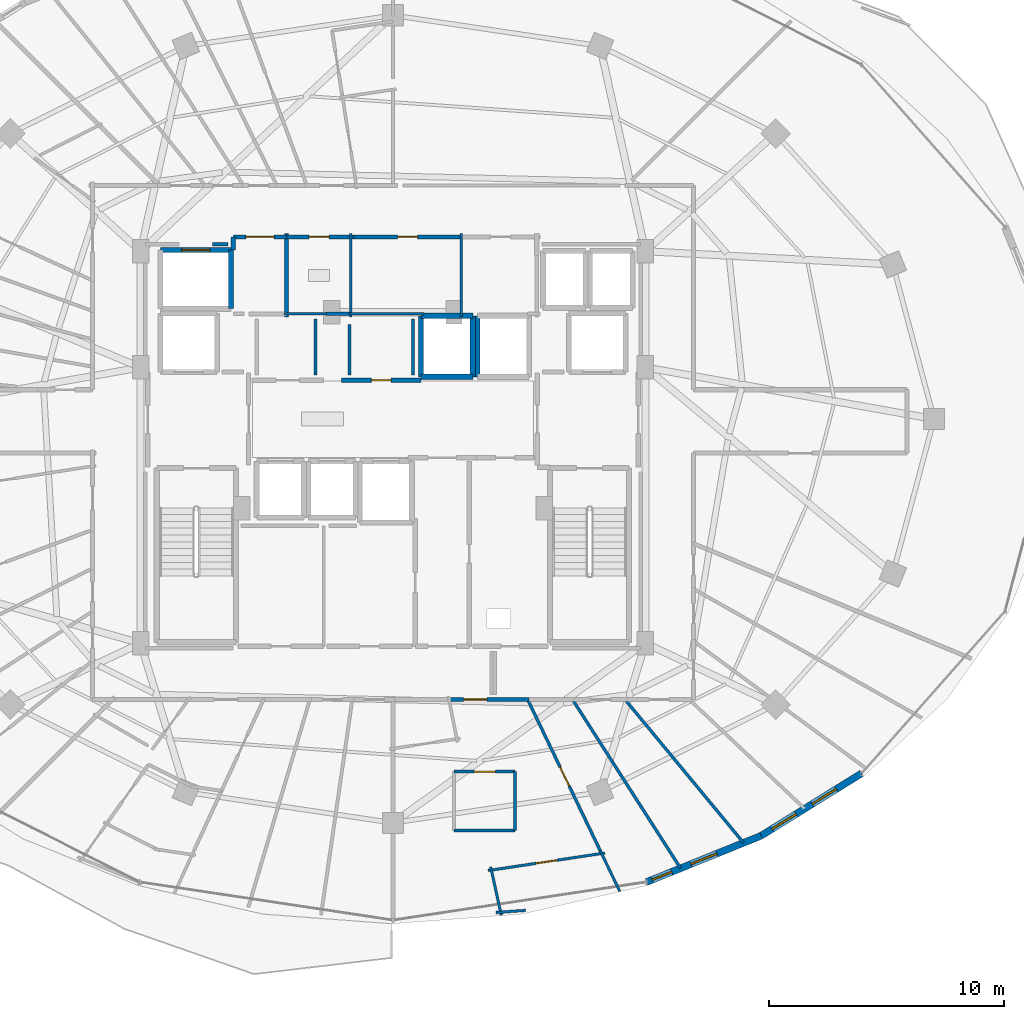
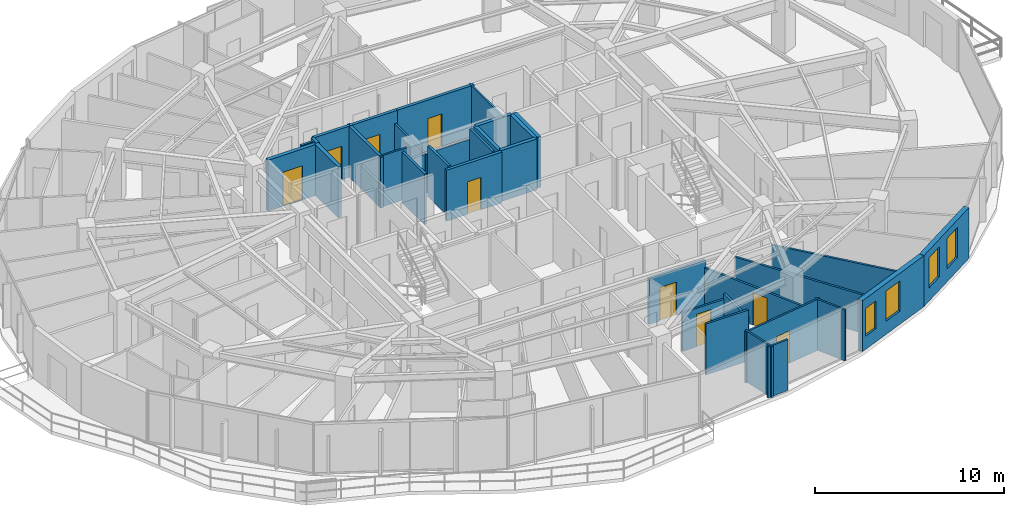
# One storey, part 27 of 33: 35 walls, 9 doors, 4 windows, 13 openings.
"""IFC4 building model written with IfcOpenShell, lengths in metres."""

from ifc_helpers import new_model, si_unit, direction, frame, frame_2d, origin, place, context, subcontext, project, spatial, rectangle, extrude, material, layer, layer_set, type_object, element, fill, save


model = new_model("IFC4")

# Units and contexts
model_context = context("Model", 3, precision=1e-05, world=origin(), true_north=direction((0.0, 1.0)))
body_context = subcontext(model_context, "Body", "Model", "MODEL_VIEW")
ifc_project = project(units=[si_unit("LENGTHUNIT", "METRE"), si_unit("AREAUNIT", "SQUARE_METRE"), si_unit("VOLUMEUNIT", "CUBIC_METRE"), si_unit("PLANEANGLEUNIT", "RADIAN"), si_unit("MASSUNIT", "GRAM", prefix="KILO")], contexts=[model_context])

# Site, building, storey
site_placement = place(None, origin())
site = spatial("IfcSite", under=ifc_project, at=site_placement, CompositionType="ELEMENT")
building_placement = place(site_placement, origin())
building = spatial("IfcBuilding", under=site, at=building_placement, Name="Vorneva Point Tower", CompositionType="ELEMENT")
storey_placement = place(building_placement, frame((0.0, 0.0, 203.64990234375)))
storey = spatial("IfcBuildingStorey", under=building, at=storey_placement, Name="L55", CompositionType="ELEMENT", Elevation=203.64990234375)

# Wall, openings, windows
ifc_material_1 = material(Name="Precast concrete B50 (C40/50)", Category="concrete")
ifc_layer_1 = layer(ifc_material_1, 0.300048828125)
ifc_layer_set_1 = layer_set([ifc_layer_1], Name="Precast concrete B50 (C40/50)")
wall_type_1 = type_object("IfcWallType", Name="WL-EXT-300", PredefinedType="STANDARD", material=ifc_layer_set_1)
wall_1_placement = place(storey_placement, frame((48.80322265625, 6.275146484375, 0.0), z_axis=(0.0, 0.0, 1.0), x_axis=(0.927111094334, 0.374786630981, 0.0)))
wall_1 = element("IfcWall", 1, at=wall_1_placement, inside=storey, type_object=wall_type_1, Name="L55 Pale-Metal Facade Spandrel Wall 14.1", PredefinedType="STANDARD", context=body_context, shape_type="SweptSolid", body=[
    extrude(rectangle(XDim=5.26416015625, YDim=0.300048828125, at=frame_2d((2.632080078125, 0.0))), origin(), (0.0, 0.0, 1.0), 3.2900390625),
])
opening_1_placement = place(wall_1_placement, frame((0.25830078125, 0.0, 0.85009765625)))
opening_1 = element("IfcOpeningElement", 2, at=opening_1_placement, cuts=wall_1, Name="Opening W-08", PredefinedType="OPENING", context=body_context, shape_type="SweptSolid", body=[
    extrude(rectangle(XDim=0.89990234375, YDim=1.800048828125, at=frame_2d((0.449951171875, 0.89990234375))), frame((0.0, 0.1650390625, 0.0), z_axis=(0.0, -1.0, 0.0), x_axis=(1.0, 0.0, 0.0)), (0.0, 0.0, 1.0), 0.329833984375),
])
opening_2_placement = place(wall_1_placement, frame((2.031982421875, 0.0, 0.85009765625)))
opening_2 = element("IfcOpeningElement", 3, at=opening_2_placement, cuts=wall_1, Name="Opening W-04", PredefinedType="OPENING", context=body_context, shape_type="SweptSolid", body=[
    extrude(rectangle(XDim=1.199951171875, YDim=1.949951171875, at=frame_2d((0.60009765625, 0.97509765625))), frame((0.0, 0.1650390625, 0.0), z_axis=(0.0, -1.0, 0.0), x_axis=(1.0, 0.0, 0.0)), (0.0, 0.0, 1.0), 0.329833984375),
])
ifc_material_2 = material(Name="Double low-e laminated glass IGU", Category="glass")
window_type_1 = type_object("IfcWindowType", Name="WN-CAS-900", PartitioningType="SINGLE_PANEL", PredefinedType="WINDOW", material=ifc_material_2)
window_1_placement = place(opening_1_placement, origin())
window_1 = element("IfcWindow", 4, at=window_1_placement, inside=storey, type_object=window_type_1, Name="L55 Dwelling Vision Window 04", OverallHeight=1.800048828125, OverallWidth=0.89990234375, PartitioningType="SINGLE_PANEL", PredefinedType="WINDOW", context=body_context, shape_type="SweptSolid", body=[
    extrude(rectangle(XDim=0.89990234375, YDim=1.800048828125, at=frame_2d((0.449951171875, 0.89990234375))), frame((0.0, 0.030029296875, 0.0), z_axis=(0.0, -1.0, 0.0), x_axis=(1.0, 0.0, 0.0)), (0.0, 0.0, 1.0), 0.06005859375),
])
fill(opening_1, window_1)
window_type_2 = type_object("IfcWindowType", Name="WN-RES-1200", PartitioningType="SINGLE_PANEL", PredefinedType="WINDOW", material=ifc_material_2)
window_2_placement = place(opening_2_placement, origin())
window_2 = element("IfcWindow", 5, at=window_2_placement, inside=storey, type_object=window_type_2, Name="L55 Dwelling Vision Window 05", OverallHeight=1.949951171875, OverallWidth=1.199951171875, PartitioningType="SINGLE_PANEL", PredefinedType="WINDOW", context=body_context, shape_type="SweptSolid", body=[
    extrude(rectangle(XDim=1.199951171875, YDim=1.949951171875, at=frame_2d((0.60009765625, 0.97509765625))), frame((0.0, 0.030029296875, 0.0), z_axis=(0.0, -1.0, 0.0), x_axis=(1.0, 0.0, 0.0)), (0.0, 0.0, 1.0), 0.06005859375),
])
fill(opening_2, window_2)

wall_2_placement = place(storey_placement, frame((53.68359375, 8.248046875, 0.0), z_axis=(0.0, 0.0, 1.0), x_axis=(0.849647657754, 0.527350791858, 0.0)))
wall_2 = element("IfcWall", 6, at=wall_2_placement, inside=storey, type_object=wall_type_1, Name="L55 Pale-Metal Facade Spandrel Wall 14.2", PredefinedType="STANDARD", context=body_context, shape_type="SweptSolid", body=[
    extrude(rectangle(XDim=5.03515625, YDim=0.300048828125, at=frame_2d((2.517578125, 0.0))), origin(), (0.0, 0.0, 1.0), 3.2900390625),
])
opening_3_placement = place(wall_2_placement, frame((0.5546875, 0.0, 0.85009765625)))
opening_3 = element("IfcOpeningElement", 7, at=opening_3_placement, cuts=wall_2, Name="Opening W-04", PredefinedType="OPENING", context=body_context, shape_type="SweptSolid", body=[
    extrude(rectangle(XDim=1.199951171875, YDim=1.949951171875, at=frame_2d((0.60009765625, 0.97509765625))), frame((0.0, 0.1650390625, 0.0), z_axis=(0.0, -1.0, 0.0), x_axis=(1.0, 0.0, 0.0)), (0.0, 0.0, 1.0), 0.329833984375),
])
opening_4_placement = place(wall_2_placement, frame((2.569091796875, 0.0, 0.85009765625)))
opening_4 = element("IfcOpeningElement", 8, at=opening_4_placement, cuts=wall_2, Name="Opening W-04", PredefinedType="OPENING", context=body_context, shape_type="SweptSolid", body=[
    extrude(rectangle(XDim=1.199951171875, YDim=1.949951171875, at=frame_2d((0.60009765625, 0.97509765625))), frame((0.0, 0.1650390625, 0.0), z_axis=(0.0, -1.0, 0.0), x_axis=(1.0, 0.0, 0.0)), (0.0, 0.0, 1.0), 0.329833984375),
])
window_3_placement = place(opening_3_placement, origin())
window_3 = element("IfcWindow", 9, at=window_3_placement, inside=storey, type_object=window_type_2, Name="L55 Dwelling Vision Window 06", OverallHeight=1.949951171875, OverallWidth=1.199951171875, PartitioningType="SINGLE_PANEL", PredefinedType="WINDOW", context=body_context, shape_type="SweptSolid", body=[
    extrude(rectangle(XDim=1.199951171875, YDim=1.949951171875, at=frame_2d((0.60009765625, 0.97509765625))), frame((0.0, 0.030029296875, 0.0), z_axis=(0.0, -1.0, 0.0), x_axis=(1.0, 0.0, 0.0)), (0.0, 0.0, 1.0), 0.06005859375),
])
fill(opening_3, window_3)
window_4_placement = place(opening_4_placement, origin())
window_4 = element("IfcWindow", 10, at=window_4_placement, inside=storey, type_object=window_type_2, Name="L55 Dwelling Vision Window 07", OverallHeight=1.949951171875, OverallWidth=1.199951171875, PartitioningType="SINGLE_PANEL", PredefinedType="WINDOW", context=body_context, shape_type="SweptSolid", body=[
    extrude(rectangle(XDim=1.199951171875, YDim=1.949951171875, at=frame_2d((0.60009765625, 0.97509765625))), frame((0.0, 0.030029296875, 0.0), z_axis=(0.0, -1.0, 0.0), x_axis=(1.0, 0.0, 0.0)), (0.0, 0.0, 1.0), 0.06005859375),
])
fill(opening_4, window_4)

# Walls
ifc_material_3 = material(Name="Fire-rated acoustic gypsum stud partition", Category="gypsum")
ifc_layer_2 = layer(ifc_material_3, 0.110107421875)
ifc_layer_set_2 = layer_set([ifc_layer_2], Name="Fire-rated acoustic gypsum stud partition")
wall_type_2 = type_object("IfcWallType", Name="WL-PART-110", PredefinedType="PARTITIONING", material=ifc_layer_set_2)
wall_3_placement = place(storey_placement, frame((36.199951171875, 30.340087890625, 0.0), z_axis=(0.0, 0.0, 1.0), x_axis=(0.0, 1.0, 0.0)))
element("IfcWall", 11, at=wall_3_placement, inside=storey, type_object=wall_type_2, Name="L55 Interior Partition 018", PredefinedType="PARTITIONING", context=body_context, shape_type="SweptSolid", body=[
    extrude(rectangle(XDim=3.559814453125, YDim=0.110107421875, at=frame_2d((1.77978515625, 0.0))), origin(), (0.0, 0.0, 1.0), 2.482177734375),
])
wall_4_placement = place(storey_placement, frame((33.360107421875, 30.47998046875, 0.0), z_axis=(0.0, 0.0, 1.0), x_axis=(1.0, 0.0, 0.0)))
element("IfcWall", 12, at=wall_4_placement, inside=storey, type_object=wall_type_2, Name="L55 Interior Partition 019", PredefinedType="PARTITIONING", context=body_context, shape_type="SweptSolid", body=[
    extrude(rectangle(XDim=1.809814453125, YDim=0.110107421875, at=frame_2d((0.90478515625, 0.0))), origin(), (0.0, 0.0, 1.0), 3.2900390625),
])
wall_5_placement = place(storey_placement, frame((40.89990234375, 30.340087890625, 0.0), z_axis=(0.0, 0.0, 1.0), x_axis=(0.0, 1.0, 0.0)))
element("IfcWall", 13, at=wall_5_placement, inside=storey, type_object=wall_type_2, Name="L55 Interior Partition 021", PredefinedType="PARTITIONING", context=body_context, shape_type="SweptSolid", body=[
    extrude(rectangle(XDim=3.559814453125, YDim=0.110107421875, at=frame_2d((1.77978515625, 0.0))), origin(), (0.0, 0.0, 1.0), 3.2900390625),
])
wall_6_placement = place(storey_placement, frame((36.110107421875, 30.47998046875, 0.0), z_axis=(0.0, 0.0, 1.0), x_axis=(1.0, 0.0, 0.0)))
element("IfcWall", 14, at=wall_6_placement, inside=storey, type_object=wall_type_2, Name="L55 Interior Partition 022", PredefinedType="PARTITIONING", context=body_context, shape_type="SweptSolid", body=[
    extrude(rectangle(XDim=3.2099609375, YDim=0.110107421875, at=frame_2d((1.60498046875, 0.0))), origin(), (0.0, 0.0, 1.0), 2.482177734375),
])
wall_7_placement = place(storey_placement, frame((42.614990234375, 4.856201171875, 0.0), z_axis=(0.0, 0.0, 1.0), x_axis=(-0.213521424511, 0.976938381514, 0.0)))
element("IfcWall", 15, at=wall_7_placement, inside=storey, type_object=wall_type_2, Name="L55 Interior Partition 136", PredefinedType="PARTITIONING", context=body_context, shape_type="SweptSolid", body=[
    extrude(rectangle(XDim=2.116455078125, YDim=0.110107421875, at=frame_2d((1.05810546875, 0.0))), origin(), (0.0, 0.0, 1.0), 3.2900390625),
])

# Wall, opening, door
wall_8_placement = place(storey_placement, frame((42.0546875, 6.76611328125, 0.0), z_axis=(0.0, 0.0, 1.0), x_axis=(0.988872134662, 0.148767944424, 0.0)))
wall_8 = element("IfcWall", 16, at=wall_8_placement, inside=storey, type_object=wall_type_2, Name="L55 Interior Partition 137", PredefinedType="PARTITIONING", context=body_context, shape_type="SweptSolid", body=[
    extrude(rectangle(XDim=5.026611328125, YDim=0.110107421875, at=frame_2d((2.51318359375, 0.0))), origin(), (0.0, 0.0, 1.0), 3.2900390625),
])
opening_5_placement = place(wall_8_placement, frame((2.0634765625, 0.0, 0.0)))
opening_5 = element("IfcOpeningElement", 17, at=opening_5_placement, cuts=wall_8, Name="Opening ID-01", PredefinedType="OPENING", context=body_context, shape_type="SweptSolid", body=[
    extrude(rectangle(XDim=0.89990234375, YDim=2.10009765625, at=frame_2d((0.449951171875, 1.050048828125))), frame((0.0, 0.06982421875, 0.0), z_axis=(0.0, -1.0, 0.0), x_axis=(1.0, 0.0, 0.0)), (0.0, 0.0, 1.0), 0.139892578125),
])
ifc_material_4 = material(Name="Engineered oak fire-rated door leaf", Category="wood")
door_type_1 = type_object("IfcDoorType", Name="DR-ROOM-900", OperationType="NOTDEFINED", PredefinedType="DOOR", material=ifc_material_4)
door_1_placement = place(opening_5_placement, origin())
door_1 = element("IfcDoor", 18, at=door_1_placement, inside=storey, type_object=door_type_1, Name="L55 Door Living and Dining Room L55-05 / Kitchen L55-05", OperationType="SINGLE_SWING_RIGHT", OverallHeight=2.10009765625, OverallWidth=0.89990234375, PredefinedType="DOOR", context=body_context, shape_type="SweptSolid", body=[
    extrude(rectangle(XDim=0.89990234375, YDim=2.10009765625, at=frame_2d((0.449951171875, 1.050048828125))), frame((0.0, 0.02490234375, 0.0), z_axis=(0.0, -1.0, 0.0), x_axis=(1.0, 0.0, 0.0)), (0.0, 0.0, 1.0), 0.050048828125),
])
fill(opening_5, door_1)

# Walls
wall_9_placement = place(storey_placement, frame((42.385498046875, 4.9775390625, 0.0), z_axis=(0.0, 0.0, 1.0), x_axis=(0.997207179737, 0.074684942803, 0.0)))
element("IfcWall", 19, at=wall_9_placement, inside=storey, type_object=wall_type_2, Name="L55 Interior Partition 138", PredefinedType="PARTITIONING", context=body_context, shape_type="SweptSolid", body=[
    extrude(rectangle(XDim=1.271728515625, YDim=0.110107421875, at=frame_2d((0.6357421875, 0.0))), origin(), (0.0, 0.0, 1.0), 3.2900390625),
])
wall_10_placement = place(storey_placement, frame((47.66357421875, 5.875732421875, 0.0), z_axis=(0.0, 0.0, 1.0), x_axis=(-0.432866492457, 0.901458041014, 0.0)))
element("IfcWall", 20, at=wall_10_placement, inside=storey, type_object=wall_type_2, Name="L55 Interior Partition 144", PredefinedType="PARTITIONING", context=body_context, shape_type="SweptSolid", body=[
    extrude(rectangle(XDim=1.93408203125, YDim=0.110107421875, at=frame_2d((0.967041015625, 0.0))), origin(), (0.0, 0.0, 1.0), 3.2900390625),
])

# Wall, opening, door
ifc_layer_3 = layer(ifc_material_3, 0.125)
ifc_layer_set_3 = layer_set([ifc_layer_3], Name="Fire-rated acoustic gypsum stud partition")
wall_type_3 = type_object("IfcWallType", Name="WL-PART-125", PredefinedType="PARTITIONING", material=ifc_layer_set_3)
wall_11_placement = place(storey_placement, frame((43.20703125, 10.97900390625, 0.0), z_axis=(0.0, 0.0, 1.0), x_axis=(-1.0, 0.0, 0.0)))
wall_11 = element("IfcWall", 21, at=wall_11_placement, inside=storey, type_object=wall_type_3, Name="L55 Interior Partition 139", PredefinedType="PARTITIONING", context=body_context, shape_type="SweptSolid", body=[
    extrude(rectangle(XDim=2.60009765625, YDim=0.125, at=frame_2d((1.300048828125, 0.0))), origin(), (0.0, 0.0, 1.0), 2.482177734375),
])
opening_6_placement = place(wall_11_placement, frame((0.85009765625, 0.0, 0.0)))
opening_6 = element("IfcOpeningElement", 22, at=opening_6_placement, cuts=wall_11, Name="Opening ID-01", PredefinedType="OPENING", context=body_context, shape_type="SweptSolid", body=[
    extrude(rectangle(XDim=0.89990234375, YDim=2.10009765625, at=frame_2d((0.449951171875, 1.050048828125))), frame((0.0, 0.077392578125, 0.0), z_axis=(0.0, -1.0, 0.0), x_axis=(1.0, 0.0, 0.0)), (0.0, 0.0, 1.0), 0.15478515625),
])
door_2_placement = place(opening_6_placement, origin())
door_2 = element("IfcDoor", 23, at=door_2_placement, inside=storey, type_object=door_type_1, Name="L55 Door Living and Dining Room L55-05 / Study Room L55-05", OperationType="SINGLE_SWING_LEFT", OverallHeight=2.10009765625, OverallWidth=0.89990234375, PredefinedType="DOOR", context=body_context, shape_type="SweptSolid", body=[
    extrude(rectangle(XDim=0.89990234375, YDim=2.10009765625, at=frame_2d((0.449951171875, 1.050048828125))), frame((0.0, 0.02490234375, 0.0), z_axis=(0.0, -1.0, 0.0), x_axis=(1.0, 0.0, 0.0)), (0.0, 0.0, 1.0), 0.050048828125),
])
fill(opening_6, door_2)

# Walls
wall_12_placement = place(storey_placement, frame((40.60693359375, 8.47900390625, 0.0), z_axis=(0.0, 0.0, 1.0), x_axis=(1.0, 0.0, 0.0)))
element("IfcWall", 24, at=wall_12_placement, inside=storey, type_object=wall_type_3, Name="L55 Interior Partition 141", PredefinedType="PARTITIONING", context=body_context, shape_type="SweptSolid", body=[
    extrude(rectangle(XDim=2.60009765625, YDim=0.125, at=frame_2d((1.300048828125, 0.0))), origin(), (0.0, 0.0, 1.0), 3.2900390625),
])
wall_13_placement = place(storey_placement, frame((43.20703125, 8.47900390625, 0.0), z_axis=(0.0, 0.0, 1.0), x_axis=(0.0, 1.0, 0.0)))
element("IfcWall", 25, at=wall_13_placement, inside=storey, type_object=wall_type_3, Name="L55 Interior Partition 142", PredefinedType="PARTITIONING", context=body_context, shape_type="SweptSolid", body=[
    extrude(rectangle(XDim=2.5, YDim=0.125, at=frame_2d((1.25, 0.0))), origin(), (0.0, 0.0, 1.0), 2.82421875),
])

# Wall, opening, door
wall_14_placement = place(storey_placement, frame((46.886962890625, 7.492919921875, 0.0), z_axis=(0.0, 0.0, 1.0), x_axis=(-0.43289909466, 0.901442385204, 0.0)))
wall_14 = element("IfcWall", 26, at=wall_14_placement, inside=storey, type_object=wall_type_3, Name="L55 Interior Partition 143", PredefinedType="PARTITIONING", context=body_context, shape_type="SweptSolid", body=[
    extrude(rectangle(XDim=7.27392578125, YDim=0.125, at=frame_2d((3.636962890625, 0.0))), origin(), (0.0, 0.0, 1.0), 2.482177734375),
])
opening_7_placement = place(wall_14_placement, frame((3.18701171875, 0.0, 0.0)))
opening_7 = element("IfcOpeningElement", 27, at=opening_7_placement, cuts=wall_14, Name="Opening ID-01", PredefinedType="OPENING", context=body_context, shape_type="SweptSolid", body=[
    extrude(rectangle(XDim=0.89990234375, YDim=2.10009765625, at=frame_2d((0.449951171875, 1.050048828125))), frame((0.0, 0.077392578125, 0.0), z_axis=(0.0, -1.0, 0.0), x_axis=(1.0, 0.0, 0.0)), (0.0, 0.0, 1.0), 0.15478515625),
])
door_3_placement = place(opening_7_placement, origin())
door_3 = element("IfcDoor", 28, at=door_3_placement, inside=storey, type_object=door_type_1, Name="L55 Door Living and Dining Room L55-05 / Master Bedroom L55-05.1", OperationType="SINGLE_SWING_RIGHT", OverallHeight=2.10009765625, OverallWidth=0.89990234375, PredefinedType="DOOR", context=body_context, shape_type="SweptSolid", body=[
    extrude(rectangle(XDim=0.89990234375, YDim=2.10009765625, at=frame_2d((0.449951171875, 1.050048828125))), frame((0.0, 0.02490234375, 0.0), z_axis=(0.0, -1.0, 0.0), x_axis=(1.0, 0.0, 0.0)), (0.0, 0.0, 1.0), 0.050048828125),
])
fill(opening_7, door_3)

# Walls
wall_15_placement = place(storey_placement, frame((50.2509765625, 6.862060546875, 0.0), z_axis=(0.0, 0.0, 1.0), x_axis=(-0.539117012224, 0.842230875194, 0.0)))
element("IfcWall", 29, at=wall_15_placement, inside=storey, type_object=wall_type_3, Name="L55 Interior Partition 145", PredefinedType="PARTITIONING", context=body_context, shape_type="SweptSolid", body=[
    extrude(rectangle(XDim=8.534423828125, YDim=0.125, at=frame_2d((4.26708984375, 0.0))), origin(), (0.0, 0.0, 1.0), 2.482177734375),
])
wall_16_placement = place(storey_placement, frame((52.93408203125, 7.947998046875, 0.0), z_axis=(0.0, 0.0, 1.0), x_axis=(-0.637427009283, 0.77051074479, 0.0)))
element("IfcWall", 30, at=wall_16_placement, inside=storey, type_object=wall_type_3, Name="L55 Interior Partition 146", PredefinedType="PARTITIONING", context=body_context, shape_type="SweptSolid", body=[
    extrude(rectangle(XDim=7.91943359375, YDim=0.125, at=frame_2d((3.959716796875, 0.0))), origin(), (0.0, 0.0, 1.0), 2.482177734375),
])
ifc_layer_4 = layer(ifc_material_3, 0.139892578125)
ifc_layer_set_4 = layer_set([ifc_layer_4], Name="Fire-rated acoustic gypsum stud partition")
wall_type_4 = type_object("IfcWallType", Name="WL-PART-140", PredefinedType="PARTITIONING", material=ifc_layer_set_4)
wall_17_placement = place(storey_placement, frame((35.139892578125, 30.47998046875, 0.0), z_axis=(0.0, 0.0, 1.0), x_axis=(1.0, 0.0, 0.0)))
element("IfcWall", 31, at=wall_17_placement, inside=storey, type_object=wall_type_4, Name="L55 Interior Closure Partition 155", PredefinedType="PARTITIONING", context=body_context, shape_type="SweptSolid", body=[
    extrude(rectangle(XDim=1.0, YDim=0.139892578125, at=frame_2d((0.5, 0.0))), origin(), (0.0, 0.0, 1.0), 2.482177734375),
])
wall_18_placement = place(storey_placement, frame((34.699951171875, 27.8701171875, 0.0), z_axis=(0.0, 0.0, 1.0), x_axis=(0.0, 1.0, 0.0)))
element("IfcWall", 32, at=wall_18_placement, inside=storey, type_object=wall_type_4, Name="L55 Interior Closure Partition 161", PredefinedType="PARTITIONING", context=body_context, shape_type="SweptSolid", body=[
    extrude(rectangle(XDim=2.389892578125, YDim=0.139892578125, at=frame_2d((1.19482421875, 0.0))), origin(), (0.0, 0.0, 1.0), 3.2900390625),
])
wall_19_placement = place(storey_placement, frame((36.14990234375, 30.030029296875, 0.0), z_axis=(0.0, 0.0, 1.0), x_axis=(0.0, -1.0, 0.0)))
element("IfcWall", 33, at=wall_19_placement, inside=storey, type_object=wall_type_4, Name="L55 Interior Closure Partition 162", PredefinedType="PARTITIONING", context=body_context, shape_type="SweptSolid", body=[
    extrude(rectangle(XDim=2.159912109375, YDim=0.139892578125, at=frame_2d((1.080078125, 0.0))), origin(), (0.0, 0.0, 1.0), 3.2900390625),
])
wall_20_placement = place(storey_placement, frame((38.85009765625, 27.8701171875, 0.0), z_axis=(0.0, 0.0, 1.0), x_axis=(0.0, 1.0, 0.0)))
element("IfcWall", 34, at=wall_20_placement, inside=storey, type_object=wall_type_4, Name="L55 Interior Closure Partition 163", PredefinedType="PARTITIONING", context=body_context, shape_type="SweptSolid", body=[
    extrude(rectangle(XDim=2.389892578125, YDim=0.139892578125, at=frame_2d((1.19482421875, 0.0))), origin(), (0.0, 0.0, 1.0), 3.2900390625),
])
wall_21_placement = place(storey_placement, frame((30.97998046875, 33.449951171875, 0.0), z_axis=(0.0, 0.0, 1.0), x_axis=(-1.0, 0.0, 0.0)))
element("IfcWall", 35, at=wall_21_placement, inside=storey, type_object=wall_type_4, Name="L55 Interior Closure Partition 168", PredefinedType="PARTITIONING", context=body_context, shape_type="SweptSolid", body=[
    extrude(rectangle(XDim=0.674072265625, YDim=0.139892578125, at=frame_2d((0.3369140625, 0.0))), origin(), (0.0, 0.0, 1.0), 3.2900390625),
])
ifc_material_5 = material(Name="Autoclaved aerated concrete blockwork", Category="masonry")
ifc_layer_5 = layer(ifc_material_5, 0.179931640625)
ifc_layer_set_5 = layer_set([ifc_layer_5], Name="Autoclaved aerated concrete blockwork")
wall_type_5 = type_object("IfcWallType", Name="WL-PART-180", PredefinedType="PARTITIONING", material=ifc_layer_set_5)
wall_22_placement = place(storey_placement, frame((33.469970703125, 30.340087890625, 0.0), z_axis=(0.0, 0.0, 1.0), x_axis=(0.0, 1.0, 0.0)))
element("IfcWall", 36, at=wall_22_placement, inside=storey, type_object=wall_type_5, Name="L55 Interior Partition 006", PredefinedType="PARTITIONING", context=body_context, shape_type="SweptSolid", body=[
    extrude(rectangle(XDim=3.559814453125, YDim=0.179931640625, at=frame_2d((1.77978515625, 0.0))), origin(), (0.0, 0.0, 1.0), 3.2900390625),
])

# Wall, opening, door
wall_23_placement = place(storey_placement, frame((33.469970703125, 33.760009765625, 0.0), z_axis=(0.0, 0.0, 1.0), x_axis=(-1.0, 0.0, 0.0)))
wall_23 = element("IfcWall", 37, at=wall_23_placement, inside=storey, type_object=wall_type_5, Name="L55 Interior Partition 008", PredefinedType="PARTITIONING", context=body_context, shape_type="SweptSolid", body=[
    extrude(rectangle(XDim=2.27001953125, YDim=0.179931640625, at=frame_2d((1.135009765625, 0.0))), origin(), (0.0, 0.0, 1.0), 3.2900390625),
])
opening_8_placement = place(wall_23_placement, frame((0.534912109375, 0.0, 0.0)))
opening_8 = element("IfcOpeningElement", 38, at=opening_8_placement, cuts=wall_23, Name="Opening FD-02", PredefinedType="OPENING", context=body_context, shape_type="SweptSolid", body=[
    extrude(rectangle(XDim=1.199951171875, YDim=2.14990234375, at=frame_2d((0.60009765625, 1.074951171875))), frame((0.0, 0.10498046875, 0.0), z_axis=(0.0, -1.0, 0.0), x_axis=(1.0, 0.0, 0.0)), (0.0, 0.0, 1.0), 0.209716796875),
])
ifc_material_6 = material(Name="Fire-rated powder-coated steel", Category="steel")
door_type_2 = type_object("IfcDoorType", Name="DR-FFL-1200", OperationType="NOTDEFINED", PredefinedType="DOOR", material=ifc_material_6)
door_4_placement = place(opening_8_placement, origin())
door_4 = element("IfcDoor", 39, at=door_4_placement, inside=storey, type_object=door_type_2, Name="L55 Door Service Lift Lobby / L55 Circulation Corridor", OperationType="SINGLE_SWING_LEFT", OverallHeight=2.14990234375, OverallWidth=1.199951171875, PredefinedType="DOOR", context=body_context, shape_type="SweptSolid", body=[
    extrude(rectangle(XDim=1.199951171875, YDim=2.14990234375, at=frame_2d((0.60009765625, 1.074951171875))), frame((0.0, 0.02490234375, 0.0), z_axis=(0.0, -1.0, 0.0), x_axis=(1.0, 0.0, 0.0)), (0.0, 0.0, 1.0), 0.050048828125),
])
fill(opening_8, door_4)

# Wall
wall_24_placement = place(storey_placement, frame((31.199951171875, 33.760009765625, 0.0), z_axis=(0.0, 0.0, 1.0), x_axis=(0.0, -1.0, 0.0)))
element("IfcWall", 40, at=wall_24_placement, inside=storey, type_object=wall_type_5, Name="L55 Interior Partition 009", PredefinedType="PARTITIONING", context=body_context, shape_type="SweptSolid", body=[
    extrude(rectangle(XDim=0.56005859375, YDim=0.179931640625, at=frame_2d((0.280029296875, 0.0))), origin(), (0.0, 0.0, 1.0), 3.2900390625),
])

# Wall, opening, door
wall_25_placement = place(storey_placement, frame((39.18994140625, 27.64990234375, 0.0), z_axis=(0.0, 0.0, 1.0), x_axis=(-1.0, 0.0, 0.0)))
wall_25 = element("IfcWall", 41, at=wall_25_placement, inside=storey, type_object=wall_type_5, Name="L55 Interior Partition 013", PredefinedType="PARTITIONING", context=body_context, shape_type="SweptSolid", body=[
    extrude(rectangle(XDim=3.3798828125, YDim=0.179931640625, at=frame_2d((1.68994140625, 0.0))), origin(), (0.0, 0.0, 1.0), 3.2900390625),
])
opening_9_placement = place(wall_25_placement, frame((1.264892578125, 0.0, 0.0)))
opening_9 = element("IfcOpeningElement", 42, at=opening_9_placement, cuts=wall_25, Name="Opening ID-02", PredefinedType="OPENING", context=body_context, shape_type="SweptSolid", body=[
    extrude(rectangle(XDim=0.85009765625, YDim=2.10009765625, at=frame_2d((0.425048828125, 1.050048828125))), frame((0.0, 0.10498046875, 0.0), z_axis=(0.0, -1.0, 0.0), x_axis=(1.0, 0.0, 0.0)), (0.0, 0.0, 1.0), 0.209716796875),
])
door_type_3 = type_object("IfcDoorType", Name="DR-BATH-850", OperationType="NOTDEFINED", PredefinedType="DOOR", material=ifc_material_4)
door_5_placement = place(opening_9_placement, origin())
door_5 = element("IfcDoor", 43, at=door_5_placement, inside=storey, type_object=door_type_3, Name="L55 Door Central Lift Lobby / Reclaimed Core Archive Store", OperationType="SINGLE_SWING_LEFT", OverallHeight=2.10009765625, OverallWidth=0.85009765625, PredefinedType="DOOR", context=body_context, shape_type="SweptSolid", body=[
    extrude(rectangle(XDim=0.85009765625, YDim=2.10009765625, at=frame_2d((0.425048828125, 1.050048828125))), frame((0.0, 0.02490234375, 0.0), z_axis=(0.0, -1.0, 0.0), x_axis=(1.0, 0.0, 0.0)), (0.0, 0.0, 1.0), 0.050048828125),
])
fill(opening_9, door_5)

wall_26_placement = place(storey_placement, frame((36.340087890625, 33.760009765625, 0.0), z_axis=(0.0, 0.0, 1.0), x_axis=(-1.0, 0.0, 0.0)))
wall_26 = element("IfcWall", 44, at=wall_26_placement, inside=storey, type_object=wall_type_5, Name="L55 Interior Partition 020", PredefinedType="PARTITIONING", context=body_context, shape_type="SweptSolid", body=[
    extrude(rectangle(XDim=2.97998046875, YDim=0.179931640625, at=frame_2d((1.489990234375, 0.0))), origin(), (0.0, 0.0, 1.0), 3.2900390625),
])
opening_10_placement = place(wall_26_placement, frame((1.06494140625, 0.0, 0.0)))
opening_10 = element("IfcOpeningElement", 45, at=opening_10_placement, cuts=wall_26, Name="Opening ID-02", PredefinedType="OPENING", context=body_context, shape_type="SweptSolid", body=[
    extrude(rectangle(XDim=0.85009765625, YDim=2.10009765625, at=frame_2d((0.425048828125, 1.050048828125))), frame((0.0, 0.10498046875, 0.0), z_axis=(0.0, -1.0, 0.0), x_axis=(1.0, 0.0, 0.0)), (0.0, 0.0, 1.0), 0.209716796875),
])
door_6_placement = place(opening_10_placement, origin())
door_6 = element("IfcDoor", 46, at=door_6_placement, inside=storey, type_object=door_type_3, Name="L55 Door Public Male WC / L55 Circulation Corridor", OperationType="SINGLE_SWING_RIGHT", OverallHeight=2.10009765625, OverallWidth=0.85009765625, PredefinedType="DOOR", context=body_context, shape_type="SweptSolid", body=[
    extrude(rectangle(XDim=0.85009765625, YDim=2.10009765625, at=frame_2d((0.425048828125, 1.050048828125))), frame((0.0, 0.02490234375, 0.0), z_axis=(0.0, -1.0, 0.0), x_axis=(1.0, 0.0, 0.0)), (0.0, 0.0, 1.0), 0.050048828125),
])
fill(opening_10, door_6)

wall_27_placement = place(storey_placement, frame((41.0400390625, 33.760009765625, 0.0), z_axis=(0.0, 0.0, 1.0), x_axis=(-1.0, 0.0, 0.0)))
wall_27 = element("IfcWall", 47, at=wall_27_placement, inside=storey, type_object=wall_type_5, Name="L55 Interior Partition 023", PredefinedType="PARTITIONING", context=body_context, shape_type="SweptSolid", body=[
    extrude(rectangle(XDim=4.840087890625, YDim=0.179931640625, at=frame_2d((2.419921875, 0.0))), origin(), (0.0, 0.0, 1.0), 3.2900390625),
])
opening_11_placement = place(wall_27_placement, frame((1.9951171875, 0.0, 0.0)))
opening_11 = element("IfcOpeningElement", 48, at=opening_11_placement, cuts=wall_27, Name="Opening ID-02", PredefinedType="OPENING", context=body_context, shape_type="SweptSolid", body=[
    extrude(rectangle(XDim=0.85009765625, YDim=2.10009765625, at=frame_2d((0.425048828125, 1.050048828125))), frame((0.0, 0.10498046875, 0.0), z_axis=(0.0, -1.0, 0.0), x_axis=(1.0, 0.0, 0.0)), (0.0, 0.0, 1.0), 0.209716796875),
])
door_7_placement = place(opening_11_placement, origin())
door_7 = element("IfcDoor", 49, at=door_7_placement, inside=storey, type_object=door_type_3, Name="L55 Door Public Female WC / L55 Circulation Corridor", OperationType="SINGLE_SWING_LEFT", OverallHeight=2.10009765625, OverallWidth=0.85009765625, PredefinedType="DOOR", context=body_context, shape_type="SweptSolid", body=[
    extrude(rectangle(XDim=0.85009765625, YDim=2.10009765625, at=frame_2d((0.425048828125, 1.050048828125))), frame((0.0, 0.02490234375, 0.0), z_axis=(0.0, -1.0, 0.0), x_axis=(1.0, 0.0, 0.0)), (0.0, 0.0, 1.0), 0.050048828125),
])
fill(opening_11, door_7)

wall_28_placement = place(storey_placement, frame((40.324951171875, 14.050048828125, 0.0), z_axis=(0.0, 0.0, 1.0), x_axis=(1.0, 0.0, 0.0)))
wall_28 = element("IfcWall", 50, at=wall_28_placement, inside=storey, type_object=wall_type_5, Name="L55 Interior Partition 060", PredefinedType="PARTITIONING", context=body_context, shape_type="SweptSolid", body=[
    extrude(rectangle(XDim=3.47998046875, YDim=0.179931640625, at=frame_2d((1.739990234375, 0.0))), origin(), (0.0, 0.0, 1.0), 2.93603515625),
])
opening_12_placement = place(wall_28_placement, frame((0.679931640625, 0.0, 0.0)))
opening_12 = element("IfcOpeningElement", 51, at=opening_12_placement, cuts=wall_28, Name="Opening UD-01", PredefinedType="OPENING", context=body_context, shape_type="SweptSolid", body=[
    extrude(rectangle(XDim=1.0, YDim=2.14990234375, at=frame_2d((0.5, 1.074951171875))), frame((0.0, 0.10498046875, 0.0), z_axis=(0.0, -1.0, 0.0), x_axis=(1.0, 0.0, 0.0)), (0.0, 0.0, 1.0), 0.209716796875),
])
door_type_4 = type_object("IfcDoorType", Name="DR-UNIT-1000", OperationType="NOTDEFINED", PredefinedType="DOOR", material=ifc_material_4)
door_8_placement = place(opening_12_placement, origin())
door_8 = element("IfcDoor", 52, at=door_8_placement, inside=storey, type_object=door_type_4, Name="L55 Door L55 Circulation Corridor / Living and Dining Room L55-05", OperationType="SINGLE_SWING_LEFT", OverallHeight=2.14990234375, OverallWidth=1.0, PredefinedType="DOOR", context=body_context, shape_type="SweptSolid", body=[
    extrude(rectangle(XDim=1.0, YDim=2.14990234375, at=frame_2d((0.5, 1.074951171875))), frame((0.0, 0.02490234375, 0.0), z_axis=(0.0, -1.0, 0.0), x_axis=(1.0, 0.0, 0.0)), (0.0, 0.0, 1.0), 0.050048828125),
])
fill(opening_12, door_8)

# Walls
ifc_material_7 = material(Name="Concrete B50 (C40/50)", Category="concrete")
ifc_layer_6 = layer(ifc_material_7, 0.219970703125)
ifc_layer_set_6 = layer_set([ifc_layer_6], Name="Concrete B50 (C40/50)")
wall_type_6 = type_object("IfcWallType", Name="WL-SHFT-220", PredefinedType="SOLIDWALL", material=ifc_layer_set_6)
wall_29_placement = place(storey_placement, frame((39.199951171875, 27.800048828125, 0.0), z_axis=(0.0, 0.0, 1.0), x_axis=(1.0, 0.0, 0.0)))
element("IfcWall", 53, at=wall_29_placement, inside=storey, type_object=wall_type_6, Name="L55 Lift PL7 Shaft Wall -Y", PredefinedType="SOLIDWALL", context=body_context, shape_type="SweptSolid", body=[
    extrude(rectangle(XDim=2.199951171875, YDim=0.219970703125, at=frame_2d((1.10009765625, 0.0))), origin(), (0.0, 0.0, 1.0), 3.2900390625),
])
wall_30_placement = place(storey_placement, frame((41.39990234375, 27.800048828125, 0.0), z_axis=(0.0, 0.0, 1.0), x_axis=(0.0, 1.0, 0.0)))
element("IfcWall", 54, at=wall_30_placement, inside=storey, type_object=wall_type_6, Name="L55 Lift PL7 Shaft Wall +X", PredefinedType="SOLIDWALL", context=body_context, shape_type="SweptSolid", body=[
    extrude(rectangle(XDim=2.599853515625, YDim=0.219970703125, at=frame_2d((1.2998046875, 0.0))), origin(), (0.0, 0.0, 1.0), 3.2900390625),
])
wall_31_placement = place(storey_placement, frame((41.39990234375, 30.39990234375, 0.0), z_axis=(0.0, 0.0, 1.0), x_axis=(-1.0, 0.0, 0.0)))
element("IfcWall", 55, at=wall_31_placement, inside=storey, type_object=wall_type_6, Name="L55 Lift PL7 Shaft Wall +Y", PredefinedType="SOLIDWALL", context=body_context, shape_type="SweptSolid", body=[
    extrude(rectangle(XDim=2.199951171875, YDim=0.219970703125, at=frame_2d((1.10009765625, 0.0))), origin(), (0.0, 0.0, 1.0), 3.2900390625),
])
for number, where, z_axis, x_axis, name in (
    (56, (39.199951171875, 30.39990234375, 0.0), (0.0, 0.0, 1.0), (0.0, -1.0, 0.0), "L55 Lift PL7 Shaft Wall -X"),
    (57, (41.60009765625, 30.39990234375, 0.0), (0.0, 0.0, 1.0), (0.0, -1.0, 0.0), "L55 Lift PL8 Shaft Wall -X"),
):
    element("IfcWall", number, at=place(storey_placement, frame(where, z_axis=z_axis, x_axis=x_axis)), inside=storey, type_object=wall_type_6, Name=name, PredefinedType="SOLIDWALL", context=body_context, shape_type="SweptSolid", body=[
        extrude(rectangle(XDim=2.599853515625, YDim=0.219970703125, at=frame_2d((1.2998046875, 0.0))), origin(), (0.0, 0.0, 1.0), 3.2900390625),
    ])
wall_32_placement = place(storey_placement, frame((31.10009765625, 30.699951171875, 0.0), z_axis=(0.0, 0.0, 1.0), x_axis=(0.0, 1.0, 0.0)))
element("IfcWall", 58, at=wall_32_placement, inside=storey, type_object=wall_type_6, Name="L55 Lift SVL1 Shaft Wall +X", PredefinedType="SOLIDWALL", context=body_context, shape_type="SweptSolid", body=[
    extrude(rectangle(XDim=2.5, YDim=0.219970703125, at=frame_2d((1.25, 0.0))), origin(), (0.0, 0.0, 1.0), 3.2900390625),
])

# Wall, opening, door
wall_33_placement = place(storey_placement, frame((31.10009765625, 33.199951171875, 0.0), z_axis=(0.0, 0.0, 1.0), x_axis=(-1.0, 0.0, 0.0)))
wall_33 = element("IfcWall", 59, at=wall_33_placement, inside=storey, type_object=wall_type_6, Name="L55 Lift SVL1 Shaft Wall +Y", PredefinedType="SOLIDWALL", context=body_context, shape_type="SweptSolid", body=[
    extrude(rectangle(XDim=3.0, YDim=0.219970703125, at=frame_2d((1.5, 0.0))), origin(), (0.0, 0.0, 1.0), 3.2900390625),
])
opening_13_placement = place(wall_33_placement, frame((0.89990234375, 0.0, 0.0)))
opening_13 = element("IfcOpeningElement", 60, at=opening_13_placement, cuts=wall_33, Name="Opening LD-02", PredefinedType="OPENING", context=body_context, shape_type="SweptSolid", body=[
    extrude(rectangle(XDim=1.199951171875, YDim=2.199951171875, at=frame_2d((0.60009765625, 1.10009765625))), frame((0.0, 0.125, 0.0), z_axis=(0.0, -1.0, 0.0), x_axis=(1.0, 0.0, 0.0)), (0.0, 0.0, 1.0), 0.249755859375),
])
ifc_material_8 = material(Name="Brushed stainless steel S304", Category="steel")
door_type_5 = type_object("IfcDoorType", Name="LD-FIRE-1200", OperationType="SLIDING_TO_LEFT", PredefinedType="DOOR", material=ifc_material_8)
door_9_placement = place(opening_13_placement, origin())
door_9 = element("IfcDoor", 61, at=door_9_placement, inside=storey, type_object=door_type_5, Name="L55 Lift SVL1 Sliding Landing Door", OperationType="SLIDING_TO_LEFT", OverallHeight=2.199951171875, OverallWidth=1.199951171875, PredefinedType="DOOR", context=body_context, shape_type="SweptSolid", body=[
    extrude(rectangle(XDim=1.199951171875, YDim=2.199951171875, at=frame_2d((0.60009765625, 1.10009765625))), frame((0.0, 0.02490234375, 0.0), z_axis=(0.0, -1.0, 0.0), x_axis=(1.0, 0.0, 0.0)), (0.0, 0.0, 1.0), 0.050048828125),
])
fill(opening_13, door_9)

save(model, "model.ifc")
